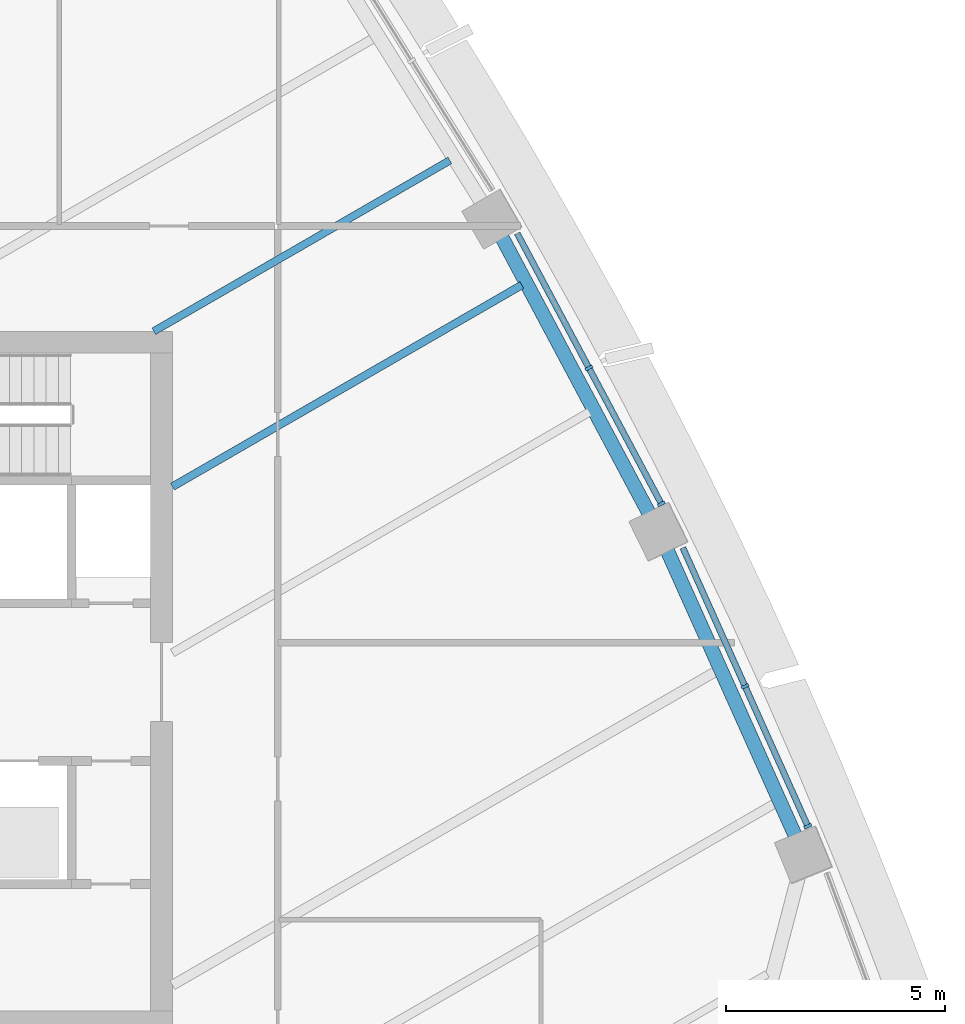
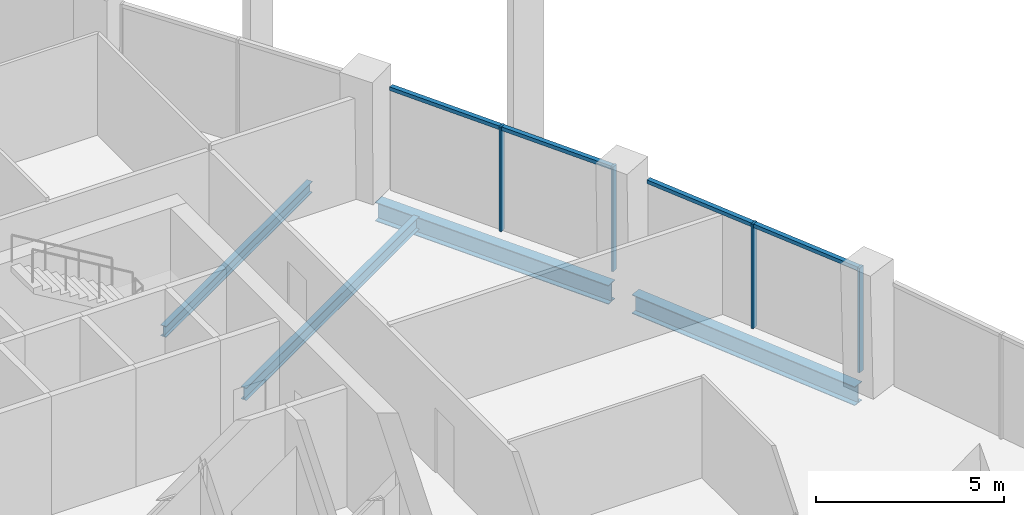
# One storey, part 5 of 17: 8 members, 4 beams, 2 elements without a shape of their own.
"""IFC4 building model written with IfcOpenShell, lengths in metres."""

from ifc_helpers import new_model, si_unit, direction, frame, origin, origin_2d, place, context, subcontext, project, spatial, rectangle, i_section, extrude, material, layer, layer_set, material_profile, profile_set, type_object, element, aggregate, save


model = new_model("IFC4")

# Units and contexts
model_context = context("Model", 3, precision=1e-05, world=origin(), true_north=direction((0.0, 1.0)))
body_context = subcontext(model_context, "Body", "Model", "MODEL_VIEW")
ifc_project = project(units=[si_unit("LENGTHUNIT", "METRE"), si_unit("AREAUNIT", "SQUARE_METRE"), si_unit("VOLUMEUNIT", "CUBIC_METRE"), si_unit("PLANEANGLEUNIT", "RADIAN"), si_unit("MASSUNIT", "GRAM", prefix="KILO")], contexts=[model_context])

# Site, building, storey
site_placement = place(None, origin())
site = spatial("IfcSite", under=ifc_project, at=site_placement, CompositionType="ELEMENT")
building_placement = place(site_placement, origin())
building = spatial("IfcBuilding", under=site, at=building_placement, Name="Sierra Prisma Convention Tower", CompositionType="ELEMENT")
storey_placement = place(building_placement, frame((0.0, 0.0, 201.800048828125)))
storey = spatial("IfcBuildingStorey", under=building, at=storey_placement, Name="L45", CompositionType="ELEMENT", Elevation=201.800048828125)

# Curtain wall, members
ifc_material_1 = material(Name="Aluminium and glass curtain wall", Category="aluminium")
ifc_layer = layer(ifc_material_1, 0.179931640625)
ifc_layer_set = layer_set([ifc_layer], Name="CW-1 Plain shaft curtain wall")
curtain_wall_type = type_object("IfcCurtainWallType", Name="CW-1 Plain shaft curtain wall", PredefinedType="NOTDEFINED", material=ifc_layer_set)
curtain_wall_1_placement = place(storey_placement, origin())
curtain_wall_1 = element("IfcCurtainWall", 1, at=curtain_wall_1_placement, inside=storey, type_object=curtain_wall_type, Name="CW-1 NE2 L45", PredefinedType="NOTDEFINED")
ifc_material_2 = material(Name="Aluminium 6063-T6 bronze anodised", Category="aluminium")
ifc_material_profile_1 = material_profile(ifc_material_2, rectangle(XDim=0.179931640625, YDim=0.070068359375, at=origin_2d()), Name="ALU MULLION 70x180")
ifc_profile_set_1 = profile_set([ifc_material_profile_1], Name="Aluminium 6063-T6 bronze anodised")
member_type_1 = type_object("IfcMemberType", Name="CW mullion bronze", PredefinedType="MULLION", material=ifc_profile_set_1)
member_1_placement = place(storey_placement, frame((25.4833984375, -3.282958984375, 0.0), z_axis=(0.0, 0.0, 1.0), x_axis=(-0.912343190629, -0.409426309014, 0.0)))
member_1 = element("IfcMember", 2, at=member_1_placement, type_object=member_type_1, Name="CW-1 mullion NE2.1", PredefinedType="MULLION", context=body_context, shape_type="SweptSolid", body=[
    extrude(rectangle(XDim=0.179931640625, YDim=0.070068359375, at=origin_2d()), origin(), (0.0, 0.0, 1.0), 3.39990234375),
])
member_2_placement = place(storey_placement, frame((24.052490234375, -0.094482421875, 0.0), z_axis=(0.0, 0.0, 1.0), x_axis=(-0.912343190629, -0.409426309014, 0.0)))
member_2 = element("IfcMember", 3, at=member_2_placement, type_object=member_type_1, Name="CW-1 mullion NE2.2", PredefinedType="MULLION", context=body_context, shape_type="SweptSolid", body=[
    extrude(rectangle(XDim=0.179931640625, YDim=0.070068359375, at=origin_2d()), origin(), (0.0, 0.0, 1.0), 3.39990234375),
])

curtain_wall_2_placement = place(storey_placement, origin())
curtain_wall_2 = element("IfcCurtainWall", 4, at=curtain_wall_2_placement, inside=storey, type_object=curtain_wall_type, Name="CW-1 NE3 L45", PredefinedType="NOTDEFINED")
member_3_placement = place(storey_placement, frame((22.145263671875, 4.06494140625, 0.0), z_axis=(0.0, 0.0, 1.0), x_axis=(-0.88248612381, -0.470338432708, 0.0)))
member_3 = element("IfcMember", 5, at=member_3_placement, type_object=member_type_1, Name="CW-1 mullion NE3.1", PredefinedType="MULLION", context=body_context, shape_type="SweptSolid", body=[
    extrude(rectangle(XDim=0.179931640625, YDim=0.070068359375, at=origin_2d()), origin(), (0.0, 0.0, 1.0), 3.39990234375),
])
member_4_placement = place(storey_placement, frame((20.493896484375, 7.163330078125, 0.0), z_axis=(0.0, 0.0, 1.0), x_axis=(-0.88248612381, -0.470338432708, 0.0)))
member_4 = element("IfcMember", 6, at=member_4_placement, type_object=member_type_1, Name="CW-1 mullion NE3.2", PredefinedType="MULLION", context=body_context, shape_type="SweptSolid", body=[
    extrude(rectangle(XDim=0.179931640625, YDim=0.070068359375, at=origin_2d()), origin(), (0.0, 0.0, 1.0), 3.39990234375),
])

# Member
ifc_material_3 = material(Name="Aluminium 6063-T6 bronze anodised", Category="aluminium")
ifc_material_profile_2 = material_profile(ifc_material_3, rectangle(XDim=0.139892578125, YDim=0.1201171875, at=origin_2d()), Name="ALU TRANSOM 120x140")
ifc_profile_set_2 = profile_set([ifc_material_profile_2], Name="Aluminium 6063-T6 bronze anodised")
member_type_2 = type_object("IfcMemberType", Name="CW transom bronze", PredefinedType="USERDEFINED", material=ifc_profile_set_2)
member_5_placement = place(storey_placement, frame((25.468994140625, -3.2509765625, 3.33984375), z_axis=(-0.409409986677, 0.912350515322, 0.0), x_axis=(-0.912350515322, -0.409409986677, 0.0)))
member_5 = element("IfcMember", 7, at=member_5_placement, type_object=member_type_2, Name="CW-1 transom NE2.1", ObjectType="TRANSOM", PredefinedType="USERDEFINED", context=body_context, shape_type="SweptSolid", body=[
    extrude(rectangle(XDim=0.139892578125, YDim=0.1201171875, at=origin_2d()), origin(), (0.0, 0.0, 1.0), 3.4248046875),
])

member_6_placement = place(storey_placement, frame((24.0380859375, -0.0625, 3.33984375), z_axis=(-0.409409986677, 0.912350515322, 0.0), x_axis=(-0.912350515322, -0.409409986677, 0.0)))
member_6 = element("IfcMember", 8, at=member_6_placement, type_object=member_type_2, Name="CW-1 transom NE2.2", ObjectType="TRANSOM", PredefinedType="USERDEFINED", context=body_context, shape_type="SweptSolid", body=[
    extrude(rectangle(XDim=0.139892578125, YDim=0.1201171875, at=origin_2d()), origin(), (0.0, 0.0, 1.0), 3.4248046875),
])

aggregate(curtain_wall_1, [member_1, member_2, member_5, member_6])

member_7_placement = place(storey_placement, frame((22.128662109375, 4.095947265625, 3.33984375), z_axis=(-0.47030830887, 0.882502178246, 0.0), x_axis=(-0.882502178246, -0.47030830887, 0.0)))
member_7 = element("IfcMember", 9, at=member_7_placement, type_object=member_type_2, Name="CW-1 transom NE3.1", ObjectType="TRANSOM", PredefinedType="USERDEFINED", context=body_context, shape_type="SweptSolid", body=[
    extrude(rectangle(XDim=0.139892578125, YDim=0.1201171875, at=origin_2d()), origin(), (0.0, 0.0, 1.0), 3.440673828125),
])

member_8_placement = place(storey_placement, frame((20.4775390625, 7.194091796875, 3.33984375), z_axis=(-0.470363568755, 0.882472726597, 0.0), x_axis=(-0.882472726597, -0.470363568755, 0.0)))
member_8 = element("IfcMember", 10, at=member_8_placement, type_object=member_type_2, Name="CW-1 transom NE3.2", ObjectType="TRANSOM", PredefinedType="USERDEFINED", context=body_context, shape_type="SweptSolid", body=[
    extrude(rectangle(XDim=0.139892578125, YDim=0.1201171875, at=origin_2d()), origin(), (0.0, 0.0, 1.0), 3.440673828125),
])

aggregate(curtain_wall_2, [member_3, member_4, member_7, member_8])

# Beams
ifc_material_4 = material(Name="Steel ASTM A992 Gr 50", Category="steel")
ifc_material_profile_3 = material_profile(ifc_material_4, i_section(OverallWidth=0.172119140625, OverallDepth=0.35791015625, WebThickness=0.0078125, FlangeThickness=0.01318359375, at=origin_2d()), Name="W360x57")
ifc_profile_set_3 = profile_set([ifc_material_profile_3], Name="Steel ASTM A992 Gr 50")
beam_type_1 = type_object("IfcBeamType", Name="Floor joist W360x57", PredefinedType="JOIST", material=ifc_profile_set_3)
beam_1_placement = place(storey_placement, frame((17.322265625, 11.89501953125, -0.3291015625), z_axis=(-0.866024317969, -0.500001880682, 0.0), x_axis=(0.500001880682, -0.866024317969, 0.0)))
element("IfcBeam", 11, at=beam_1_placement, inside=storey, type_object=beam_type_1, Name="Floor joist L45 NE08", PredefinedType="JOIST", context=body_context, shape_type="SweptSolid", body=[
    extrude(i_section(OverallWidth=0.172119140625, OverallDepth=0.35791015625, WebThickness=0.0078125, FlangeThickness=0.01318359375, at=origin_2d()), origin(), (0.0, 0.0, 1.0), 7.7900390625),
])
ifc_material_5 = material(Name="Steel ASTM A992 Gr 50", Category="steel")
ifc_material_profile_4 = material_profile(ifc_material_5, i_section(OverallWidth=0.177978515625, OverallDepth=0.406982421875, WebThickness=0.0078125, FlangeThickness=0.0126953125, at=origin_2d()), Name="W410x60")
ifc_profile_set_4 = profile_set([ifc_material_profile_4], Name="Steel ASTM A992 Gr 50")
beam_type_2 = type_object("IfcBeamType", Name="Floor joist W410x60", PredefinedType="JOIST", material=ifc_profile_set_4)
beam_2_placement = place(storey_placement, frame((18.96240234375, 9.053955078125, -0.353515625), z_axis=(-0.866021973648, -0.500005941123, 0.0), x_axis=(0.500005941123, -0.866021973648, 0.0)))
element("IfcBeam", 12, at=beam_2_placement, inside=storey, type_object=beam_type_2, Name="Floor joist L45 NE07", PredefinedType="JOIST", context=body_context, shape_type="SweptSolid", body=[
    extrude(i_section(OverallWidth=0.177978515625, OverallDepth=0.406982421875, WebThickness=0.0078125, FlangeThickness=0.0126953125, at=origin_2d()), origin(), (0.0, 0.0, 1.0), 9.1943359375),
])
ifc_material_6 = material(Name="Steel ASTM A992 Gr 50", Category="steel")
ifc_material_profile_5 = material_profile(ifc_material_6, i_section(OverallWidth=0.324951171875, OverallDepth=0.615966796875, WebThickness=0.013916015625, FlangeThickness=0.021484375, at=origin_2d()), Name="W610x174")
ifc_profile_set_5 = profile_set([ifc_material_profile_5], Name="Steel ASTM A992 Gr 50")
beam_type_3 = type_object("IfcBeamType", Name="Spandrel beam W610x174", PredefinedType="BEAM", material=ifc_profile_set_5)
for number, where, z_axis, x_axis, name in (
    (13, (25.24072265625, -3.5966796875, -0.4580078125), (-0.409438002655, 0.91233794286, 0.0), (-0.91233794286, -0.409438002655, 0.0), "Spandrel L45-08"),
    (14, (21.909423828125, 3.763671875, -0.4580078125), (-0.470344111357, 0.882483097239, 0.0), (-0.882483097239, -0.470344111357, 0.0), "Spandrel L45-09"),
):
    element("IfcBeam", number, at=place(storey_placement, frame(where, z_axis=z_axis, x_axis=x_axis)), inside=storey, type_object=beam_type_3, Name=name, PredefinedType="BEAM", context=body_context, shape_type="SweptSolid", body=[
        extrude(i_section(OverallWidth=0.324951171875, OverallDepth=0.615966796875, WebThickness=0.013916015625, FlangeThickness=0.021484375, at=origin_2d()), origin(), (0.0, 0.0, 1.0), 7.3193359375),
    ])

save(model, "model.ifc")
